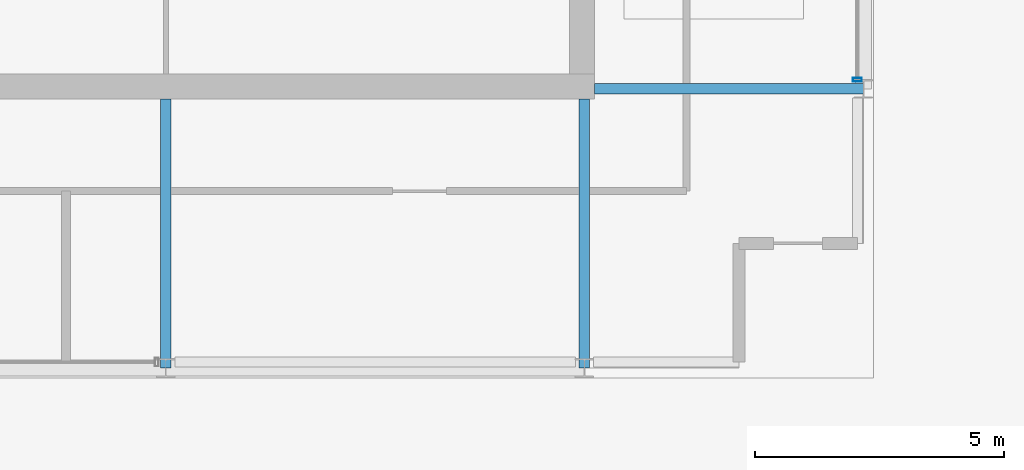
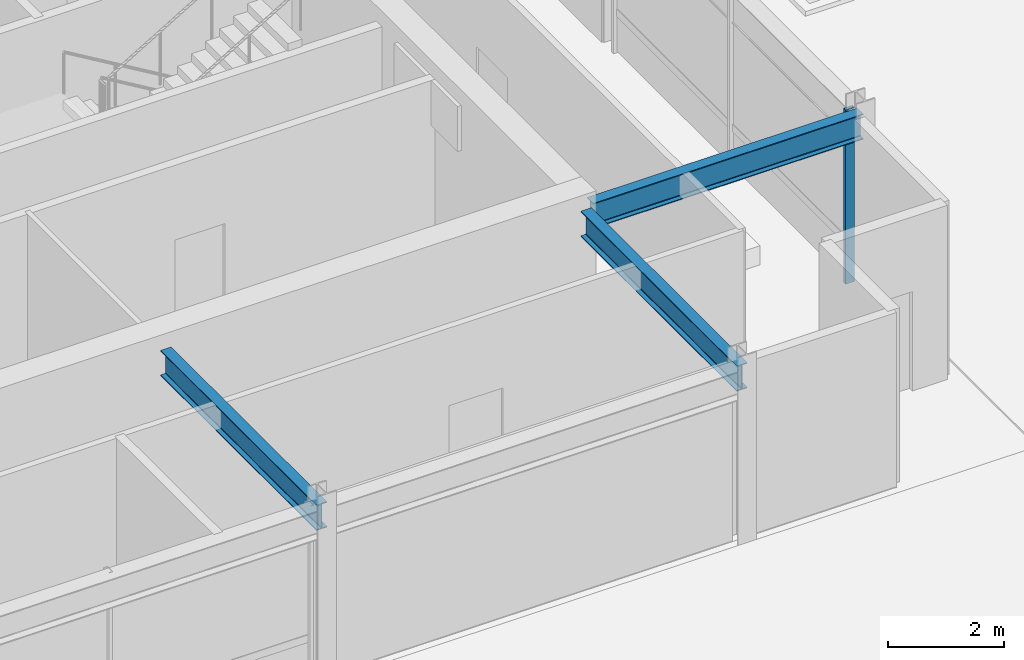
# One storey, part 5 of 17: 3 beams, 1 member, 1 element without a shape of its own.
"""IFC4 building model written with IfcOpenShell, lengths in metres."""

from ifc_helpers import new_model, si_unit, direction, frame, origin, origin_2d, place, context, subcontext, project, spatial, hollow_rectangle, i_section, extrude, material, layer, layer_set, material_profile, profile_set, type_object, element, aggregate, save


model = new_model("IFC4")

# Units and contexts
model_context = context("Model", 3, precision=1e-05, world=origin(), true_north=direction((0.0, 1.0)))
body_context = subcontext(model_context, "Body", "Model", "MODEL_VIEW")
ifc_project = project(units=[si_unit("LENGTHUNIT", "METRE"), si_unit("AREAUNIT", "SQUARE_METRE"), si_unit("VOLUMEUNIT", "CUBIC_METRE"), si_unit("PLANEANGLEUNIT", "RADIAN"), si_unit("MASSUNIT", "GRAM", prefix="KILO")], contexts=[model_context])

# Site, building, storey
site_placement = place(None, origin())
site = spatial("IfcSite", under=ifc_project, at=site_placement, CompositionType="ELEMENT")
building_placement = place(site_placement, origin())
building = spatial("IfcBuilding", under=site, at=building_placement, Name="Drelvath Grand Hotel", CompositionType="ELEMENT")
storey_placement = place(building_placement, frame((0.0, 0.0, 311.39990234375)))
storey = spatial("IfcBuildingStorey", under=building, at=storey_placement, Name="L81", CompositionType="ELEMENT", Elevation=311.39990234375)

# Curtain wall, member
ifc_material_1 = material(Name="Pale-Metal Anodised Aluminium Crown Frame", Category="aluminium")
ifc_layer = layer(ifc_material_1, 0.199951171875)
ifc_layer_set = layer_set([ifc_layer], Name="Pale-Metal Anodised Aluminium Crown Frame")
curtain_wall_type = type_object("IfcCurtainWallType", Name="Stick Curtain Wall CW-06 Pale-Metal Crown Clerestory", PredefinedType="NOTDEFINED", material=ifc_layer_set)
curtain_wall_placement = place(storey_placement, origin())
curtain_wall = element("IfcCurtainWall", 1, at=curtain_wall_placement, inside=storey, type_object=curtain_wall_type, Name="L81 CW-06 Curtain Wall CW06-L81-E", PredefinedType="NOTDEFINED")
ifc_material_profile_1 = material_profile(ifc_material_1, hollow_rectangle(XDim=0.074951171875, YDim=0.179931640625, WallThickness=0.0048828125, at=origin_2d()), Name="HSS180X75X5")
ifc_profile_set_1 = profile_set([ifc_material_profile_1], Name="Pale-Metal Anodised Aluminium Crown Frame")
member_type = type_object("IfcMemberType", Name="Curtain Wall Vertical Mullion CW-06 HSS180X75X5", PredefinedType="MULLION", material=ifc_profile_set_1)
member_placement = place(storey_placement, frame((13.8798828125, 18.7822265625, 0.0), z_axis=(0.0, 0.0, 1.0), x_axis=(0.0, 1.0, 0.0)))
member = element("IfcMember", 2, at=member_placement, type_object=member_type, Name="CW06-L81-E Mullion 3", PredefinedType="MULLION", context=body_context, shape_type="SweptSolid", body=[
    extrude(hollow_rectangle(XDim=0.074951171875, YDim=0.179931640625, WallThickness=0.0048828125, at=origin_2d()), origin(), (0.0, 0.0, 1.0), 3.68017578125),
])
aggregate(curtain_wall, [member])

# Beams
ifc_material_2 = material(Name="Steel ASTM A992 Gr 50", Category="steel")
ifc_material_profile_2 = material_profile(ifc_material_2, i_section(OverallWidth=0.210205078125, OverallDepth=0.53662109375, WebThickness=0.010986328125, FlangeThickness=0.017333984375, FilletRadius=0.01806640625, at=origin_2d()), Name="W21X68")
ifc_profile_set_2 = profile_set([ifc_material_profile_2], Name="Steel ASTM A992 Gr 50")
beam_type = type_object("IfcBeamType", Name="Primary Floor Girder W21X68", PredefinedType="BEAM", material=ifc_profile_set_2)
for number, where, z_axis, x_axis, name in (
    (3, (8.60009765625, 18.60009765625, 3.41162109375), (1.0, 0.0, 0.0), (0.0, 1.0, 0.0), "L81 Crown Drum Tie East D"),
    (4, (0.0, 13.0, 3.41162109375), (0.0, 1.0, 0.0), (-1.0, 0.0, 0.0), "L81 Crown Drum Tie South 5"),
    (5, (8.39990234375, 13.0, 3.41162109375), (0.0, 1.0, 0.0), (-1.0, 0.0, 0.0), "L81 Crown Drum Tie South 6"),
):
    element("IfcBeam", number, at=place(storey_placement, frame(where, z_axis=z_axis, x_axis=x_axis)), inside=storey, type_object=beam_type, Name=name, PredefinedType="BEAM", context=body_context, shape_type="SweptSolid", body=[
        extrude(i_section(OverallWidth=0.210205078125, OverallDepth=0.53662109375, WebThickness=0.010986328125, FlangeThickness=0.017333984375, FilletRadius=0.01806640625, at=origin_2d()), origin(), (0.0, 0.0, 1.0), 5.39990234375),
    ])

save(model, "model.ifc")
